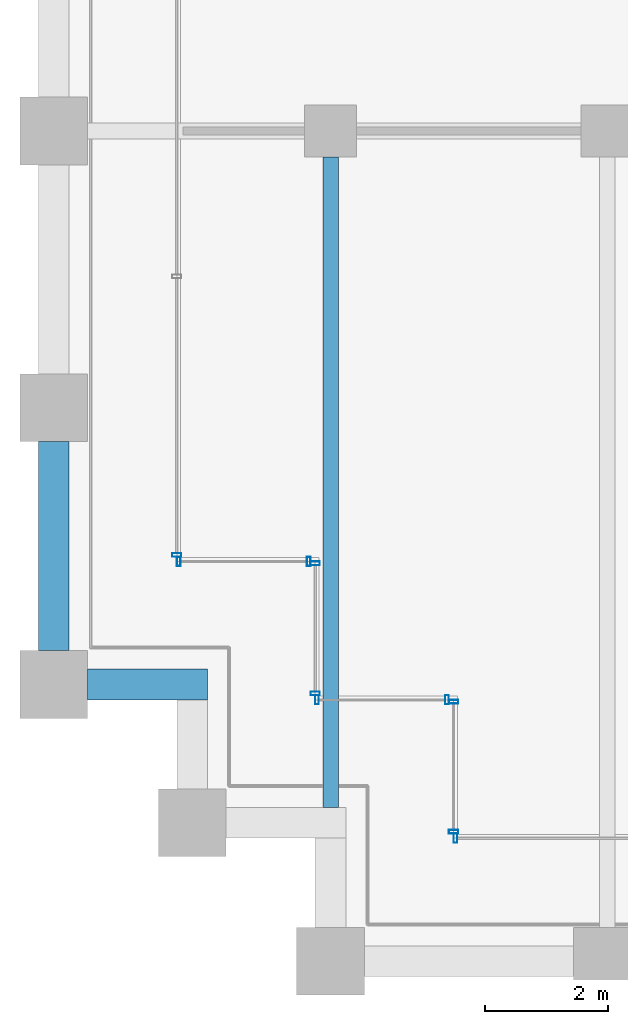
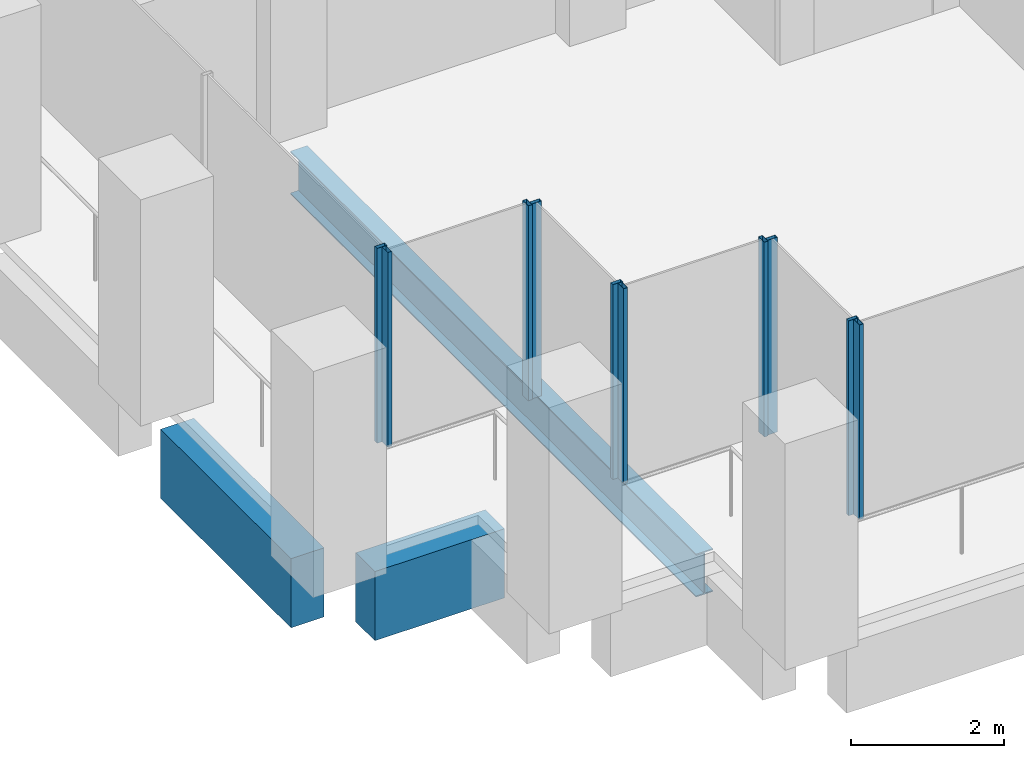
# One storey, part 2 of 56: 10 members, 3 beams, 6 elements without a shape of their own.
"""IFC4 building model written with IfcOpenShell, lengths in metres."""

from ifc_helpers import new_model, si_unit, direction, frame, origin, origin_2d, place, context, subcontext, project, spatial, rectangle, hollow_rectangle, i_section, extrude, material, material_profile, profile_set, type_object, element, aggregate, save


model = new_model("IFC4")

# Units and contexts
model_context = context("Model", 3, precision=1e-05, world=origin(), true_north=direction((0.0, 1.0)))
body_context = subcontext(model_context, "Body", "Model", "MODEL_VIEW")
ifc_project = project(units=[si_unit("LENGTHUNIT", "METRE"), si_unit("AREAUNIT", "SQUARE_METRE"), si_unit("VOLUMEUNIT", "CUBIC_METRE"), si_unit("PLANEANGLEUNIT", "RADIAN"), si_unit("MASSUNIT", "GRAM", prefix="KILO")], contexts=[model_context])

# Site, building, storey
site_placement = place(None, origin())
site = spatial("IfcSite", under=ifc_project, at=site_placement, CompositionType="ELEMENT")
building_placement = place(site_placement, origin())
building = spatial("IfcBuilding", under=site, at=building_placement, Name="Altepetl Exchange Towers", CompositionType="ELEMENT")
storey_placement = place(building_placement, frame((0.0, 0.0, 54.60009765625)))
storey = spatial("IfcBuildingStorey", under=building, at=storey_placement, Name="L12", CompositionType="ELEMENT", Elevation=54.60009765625)

# Beam
ifc_material_1 = material(Name="Steel S355", Category="steel")
ifc_material_profile_1 = material_profile(ifc_material_1, i_section(OverallWidth=0.25390625, OverallDepth=0.68408203125, WebThickness=0.012451171875, FlangeThickness=0.018798828125, at=origin_2d()), Name="W27X94")
ifc_profile_set_1 = profile_set([ifc_material_profile_1], Name="Steel S355")
beam_type_1 = type_object("IfcBeamType", Name="Floor beam W27X94", PredefinedType="BEAM", material=ifc_profile_set_1)
beam_1_placement = place(storey_placement, frame((31.5, 29.5, -0.4921875), z_axis=(0.0, 1.0, 0.0), x_axis=(-1.0, 0.0, 0.0)))
element("IfcBeam", 1, at=beam_1_placement, inside=storey, type_object=beam_type_1, Name="bm:A:L12:012", PredefinedType="BEAM", context=body_context, shape_type="SweptSolid", body=[
    extrude(i_section(OverallWidth=0.25390625, OverallDepth=0.68408203125, WebThickness=0.012451171875, FlangeThickness=0.018798828125, at=origin_2d()), origin(), (0.0, 0.0, 1.0), 10.574951171875),
])

# Curtain wall, member
ifc_material_2 = material(Name="Aluminium 6063-T6 glazing", Category="aluminium")
curtain_wall_type = type_object("IfcCurtainWallType", Name="Loggia glazing system", PredefinedType="NOTDEFINED", material=ifc_material_2)
curtain_wall_1_placement = place(storey_placement, origin())
curtain_wall_1 = element("IfcCurtainWall", 2, at=curtain_wall_1_placement, inside=storey, type_object=curtain_wall_type, Name="CW1 run", PredefinedType="NOTDEFINED")
ifc_material_3 = material(Name="Aluminium 6063-T6", Category="aluminium")
ifc_material_profile_2 = material_profile(ifc_material_3, hollow_rectangle(XDim=0.06005859375, YDim=0.14990234375, WallThickness=0.0029296875, at=origin_2d()), Name="Mullion 60x150 aluminium")
ifc_profile_set_2 = profile_set([ifc_material_profile_2], Name="Aluminium 6063-T6")
member_type = type_object("IfcMemberType", Name="Mullion 60x150 aluminium", PredefinedType="MULLION", material=ifc_profile_set_2)
member_1_placement = place(storey_placement, frame((29.0, 33.60498046875, 0.0), z_axis=(0.0, 0.0, 1.0), x_axis=(0.0, -1.0, 0.0)))
member_1 = element("IfcMember", 3, at=member_1_placement, type_object=member_type, Name="MU1 mullion", PredefinedType="MULLION", context=body_context, shape_type="SweptSolid", body=[
    extrude(hollow_rectangle(XDim=0.06005859375, YDim=0.14990234375, WallThickness=0.0029296875, at=origin_2d()), origin(), (0.0, 0.0, 1.0), 3.099853515625),
])
aggregate(curtain_wall_1, [member_1])

# Curtain wall, members
curtain_wall_2_placement = place(storey_placement, origin())
curtain_wall_2 = element("IfcCurtainWall", 4, at=curtain_wall_2_placement, inside=storey, type_object=curtain_wall_type, Name="CW1 run", PredefinedType="NOTDEFINED")
member_2_placement = place(storey_placement, frame((29.030029296875, 33.5, 0.0)))
member_2 = element("IfcMember", 5, at=member_2_placement, type_object=member_type, Name="MU1 mullion", PredefinedType="MULLION", context=body_context, shape_type="SweptSolid", body=[
    extrude(hollow_rectangle(XDim=0.06005859375, YDim=0.14990234375, WallThickness=0.0029296875, at=origin_2d()), origin(), (0.0, 0.0, 1.0), 3.099853515625),
])
member_3_placement = place(storey_placement, frame((31.14501953125, 33.5, 0.0)))
member_3 = element("IfcMember", 6, at=member_3_placement, type_object=member_type, Name="MU1 mullion", PredefinedType="MULLION", context=body_context, shape_type="SweptSolid", body=[
    extrude(hollow_rectangle(XDim=0.06005859375, YDim=0.14990234375, WallThickness=0.0029296875, at=origin_2d()), origin(), (0.0, 0.0, 1.0), 3.099853515625),
])
aggregate(curtain_wall_2, [member_2, member_3])

curtain_wall_3_placement = place(storey_placement, origin())
curtain_wall_3 = element("IfcCurtainWall", 7, at=curtain_wall_3_placement, inside=storey, type_object=curtain_wall_type, Name="CW1 run", PredefinedType="NOTDEFINED")
member_4_placement = place(storey_placement, frame((31.25, 33.469970703125, 0.0), z_axis=(0.0, 0.0, 1.0), x_axis=(0.0, -1.0, 0.0)))
member_4 = element("IfcMember", 8, at=member_4_placement, type_object=member_type, Name="MU1 mullion", PredefinedType="MULLION", context=body_context, shape_type="SweptSolid", body=[
    extrude(hollow_rectangle(XDim=0.06005859375, YDim=0.14990234375, WallThickness=0.0029296875, at=origin_2d()), origin(), (0.0, 0.0, 1.0), 3.099853515625),
])
member_5_placement = place(storey_placement, frame((31.25, 31.35498046875, 0.0), z_axis=(0.0, 0.0, 1.0), x_axis=(0.0, -1.0, 0.0)))
member_5 = element("IfcMember", 9, at=member_5_placement, type_object=member_type, Name="MU1 mullion", PredefinedType="MULLION", context=body_context, shape_type="SweptSolid", body=[
    extrude(hollow_rectangle(XDim=0.06005859375, YDim=0.14990234375, WallThickness=0.0029296875, at=origin_2d()), origin(), (0.0, 0.0, 1.0), 3.099853515625),
])
aggregate(curtain_wall_3, [member_4, member_5])

curtain_wall_4_placement = place(storey_placement, origin())
curtain_wall_4 = element("IfcCurtainWall", 10, at=curtain_wall_4_placement, inside=storey, type_object=curtain_wall_type, Name="CW1 run", PredefinedType="NOTDEFINED")
member_6_placement = place(storey_placement, frame((31.280029296875, 31.25, 0.0)))
member_6 = element("IfcMember", 11, at=member_6_placement, type_object=member_type, Name="MU1 mullion", PredefinedType="MULLION", context=body_context, shape_type="SweptSolid", body=[
    extrude(hollow_rectangle(XDim=0.06005859375, YDim=0.14990234375, WallThickness=0.0029296875, at=origin_2d()), origin(), (0.0, 0.0, 1.0), 3.099853515625),
])
member_7_placement = place(storey_placement, frame((33.39501953125, 31.25, 0.0)))
member_7 = element("IfcMember", 12, at=member_7_placement, type_object=member_type, Name="MU1 mullion", PredefinedType="MULLION", context=body_context, shape_type="SweptSolid", body=[
    extrude(hollow_rectangle(XDim=0.06005859375, YDim=0.14990234375, WallThickness=0.0029296875, at=origin_2d()), origin(), (0.0, 0.0, 1.0), 3.099853515625),
])
aggregate(curtain_wall_4, [member_6, member_7])

curtain_wall_5_placement = place(storey_placement, origin())
curtain_wall_5 = element("IfcCurtainWall", 13, at=curtain_wall_5_placement, inside=storey, type_object=curtain_wall_type, Name="CW1 run", PredefinedType="NOTDEFINED")
member_8_placement = place(storey_placement, frame((33.5, 31.219970703125, 0.0), z_axis=(0.0, 0.0, 1.0), x_axis=(0.0, -1.0, 0.0)))
member_8 = element("IfcMember", 14, at=member_8_placement, type_object=member_type, Name="MU1 mullion", PredefinedType="MULLION", context=body_context, shape_type="SweptSolid", body=[
    extrude(hollow_rectangle(XDim=0.06005859375, YDim=0.14990234375, WallThickness=0.0029296875, at=origin_2d()), origin(), (0.0, 0.0, 1.0), 3.099853515625),
])
member_9_placement = place(storey_placement, frame((33.5, 29.10498046875, 0.0), z_axis=(0.0, 0.0, 1.0), x_axis=(0.0, -1.0, 0.0)))
member_9 = element("IfcMember", 15, at=member_9_placement, type_object=member_type, Name="MU1 mullion", PredefinedType="MULLION", context=body_context, shape_type="SweptSolid", body=[
    extrude(hollow_rectangle(XDim=0.06005859375, YDim=0.14990234375, WallThickness=0.0029296875, at=origin_2d()), origin(), (0.0, 0.0, 1.0), 3.099853515625),
])
aggregate(curtain_wall_5, [member_8, member_9])

# Curtain wall, member
curtain_wall_6_placement = place(storey_placement, origin())
curtain_wall_6 = element("IfcCurtainWall", 16, at=curtain_wall_6_placement, inside=storey, type_object=curtain_wall_type, Name="CW1 run", PredefinedType="NOTDEFINED")
member_10_placement = place(storey_placement, frame((33.530029296875, 29.0, 0.0)))
member_10 = element("IfcMember", 17, at=member_10_placement, type_object=member_type, Name="MU1 mullion", PredefinedType="MULLION", context=body_context, shape_type="SweptSolid", body=[
    extrude(hollow_rectangle(XDim=0.06005859375, YDim=0.14990234375, WallThickness=0.0029296875, at=origin_2d()), origin(), (0.0, 0.0, 1.0), 3.099853515625),
])
aggregate(curtain_wall_6, [member_10])

# Beams
ifc_material_4 = material(Name="Concrete C50/60 precast with cantera blanca facing", Category="concrete")
ifc_material_profile_3 = material_profile(ifc_material_4, rectangle(XDim=0.5, YDim=1.10009765625, at=origin_2d()), Name="500 x 1100")
ifc_profile_set_3 = profile_set([ifc_material_profile_3], Name="Concrete C50/60 precast with cantera blanca facing")
beam_type_2 = type_object("IfcBeamType", Name="Spandrel beam 500x1100 cantera blanca", PredefinedType="SPANDREL", material=ifc_profile_set_3)
beam_2_placement = place(storey_placement, frame((27.0, 35.449951171875, -0.7001953125), z_axis=(0.0, -1.0, 0.0), x_axis=(1.0, 0.0, 0.0)))
element("IfcBeam", 18, at=beam_2_placement, inside=storey, type_object=beam_type_2, Name="sp:A:L12:043", PredefinedType="SPANDREL", context=body_context, shape_type="SweptSolid", body=[
    extrude(rectangle(XDim=0.5, YDim=1.10009765625, at=origin_2d()), origin(), (0.0, 0.0, 1.0), 3.39990234375),
])
beam_3_placement = place(storey_placement, frame((27.550048828125, 31.5, -0.7001953125), z_axis=(1.0, 0.0, 0.0), x_axis=(0.0, 1.0, 0.0)))
element("IfcBeam", 19, at=beam_3_placement, inside=storey, type_object=beam_type_2, Name="sp:A:L12:044", PredefinedType="SPANDREL", context=body_context, shape_type="SweptSolid", body=[
    extrude(rectangle(XDim=0.5, YDim=1.10009765625, at=origin_2d()), origin(), (0.0, 0.0, 1.0), 1.949951171875),
])

save(model, "model.ifc")
